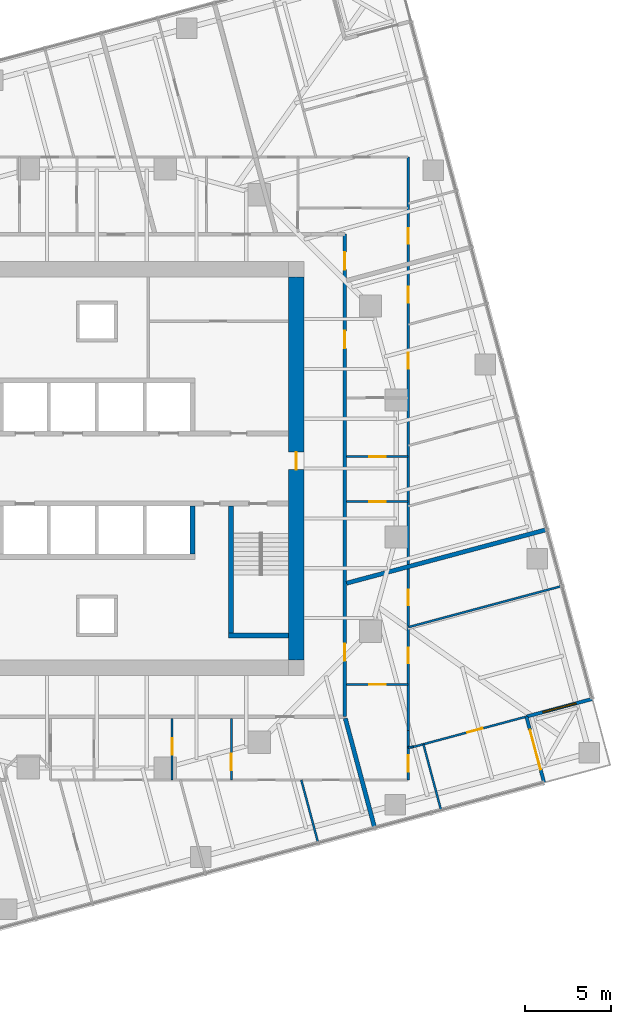
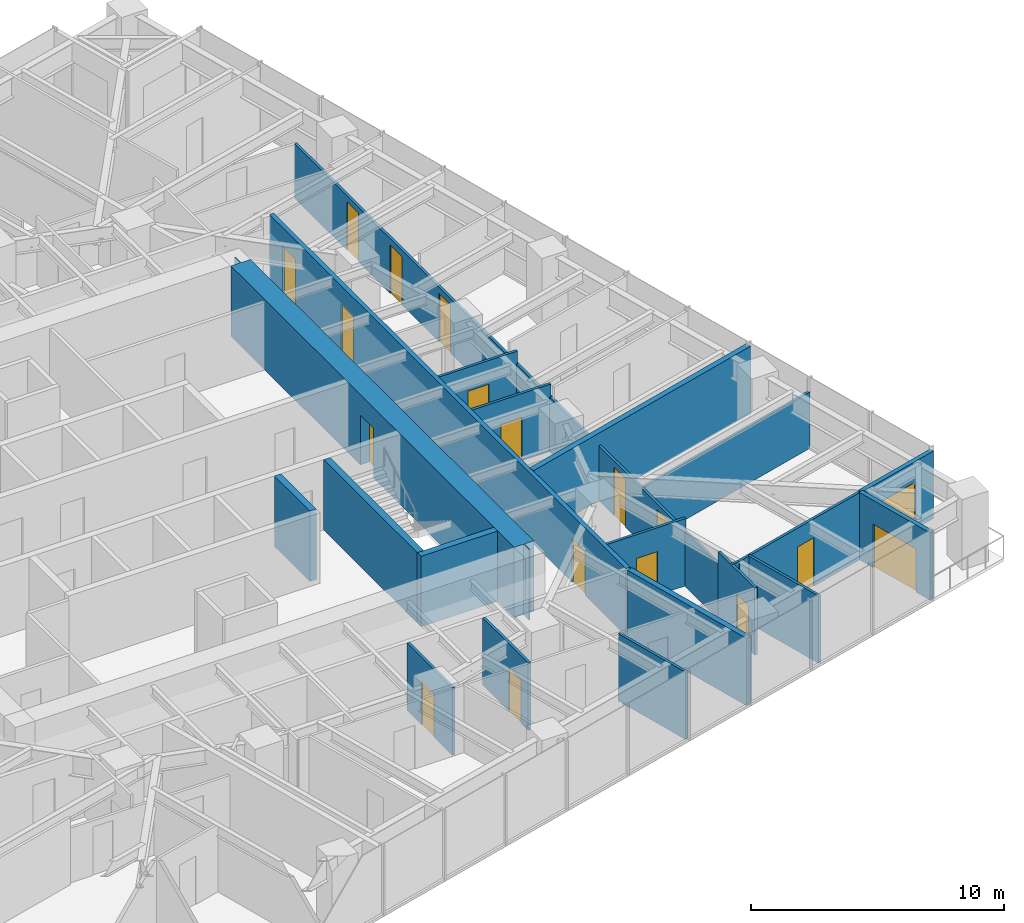
# One storey, part 10 of 15: 21 walls, 17 doors, 1 window, 18 openings.
"""IFC4 building model written with IfcOpenShell, lengths in metres."""

from ifc_helpers import new_model, si_unit, direction, frame, frame_2d, origin, place, context, subcontext, project, spatial, polyline, rectangle, outline, extrude, material, layer, layer_set, type_object, element, fill, save


model = new_model("IFC4")

# Units and contexts
model_context = context("Model", 3, precision=1e-05, world=origin(), true_north=direction((0.0, 1.0)))
body_context = subcontext(model_context, "Body", "Model", "MODEL_VIEW")
ifc_project = project(units=[si_unit("LENGTHUNIT", "METRE"), si_unit("AREAUNIT", "SQUARE_METRE"), si_unit("VOLUMEUNIT", "CUBIC_METRE"), si_unit("PLANEANGLEUNIT", "RADIAN"), si_unit("MASSUNIT", "GRAM", prefix="KILO")], contexts=[model_context])

# Site, building, storey
site_placement = place(None, origin())
site = spatial("IfcSite", under=ifc_project, at=site_placement, CompositionType="ELEMENT")
building_placement = place(site_placement, origin())
building = spatial("IfcBuilding", under=site, at=building_placement, Name="Torsade Residences", CompositionType="ELEMENT")
storey_placement = place(building_placement, frame((0.0, 0.0, 132.0)))
storey = spatial("IfcBuildingStorey", under=building, at=storey_placement, Name="L36", CompositionType="ELEMENT", Elevation=132.0)

# Walls
ifc_material_1 = material(Name="Concrete 80 MPa", Category="concrete")
ifc_layer_1 = layer(ifc_material_1, 0.300048828125)
ifc_layer_set_1 = layer_set([ifc_layer_1], Name="Concrete 80 MPa")
wall_type_1 = type_object("IfcWallType", Name="CORE INTERNAL WALL 300", PredefinedType="SHEAR", material=ifc_layer_set_1)
wall_1_placement = place(storey_placement, frame((45.60009765625, 27.800048828125, 0.0), z_axis=(0.0, 0.0, 1.0), x_axis=(0.0, -1.0, 0.0)))
element("IfcWall", 1, at=wall_1_placement, inside=storey, type_object=wall_type_1, Name="Core wall DS0 L36", PredefinedType="SHEAR", context=body_context, shape_type="SweptSolid", body=[
    extrude(rectangle(XDim=2.800048828125, YDim=0.300048828125, at=frame_2d((1.39990234375, 0.0))), origin(), (0.0, 0.0, 1.0), 3.39990234375),
])
wall_2_placement = place(storey_placement, frame((47.85009765625, 27.800048828125, 0.0), z_axis=(0.0, 0.0, 1.0), x_axis=(0.0, -1.0, 0.0)))
element("IfcWall", 2, at=wall_2_placement, inside=storey, type_object=wall_type_1, Name="Core wall ST2W L36", PredefinedType="SHEAR", context=body_context, shape_type="SweptSolid", body=[
    extrude(rectangle(XDim=7.699951171875, YDim=0.300048828125, at=frame_2d((3.85009765625, 0.0))), origin(), (0.0, 0.0, 1.0), 3.39990234375),
])
wall_3_placement = place(storey_placement, frame((51.199951171875, 20.25, 0.0), z_axis=(0.0, 0.0, 1.0), x_axis=(-1.0, 0.0, 0.0)))
element("IfcWall", 3, at=wall_3_placement, inside=storey, type_object=wall_type_1, Name="Core wall ST2S L36", PredefinedType="SHEAR", context=body_context, shape_type="SweptSolid", body=[
    extrude(rectangle(XDim=3.5, YDim=0.300048828125, at=frame_2d((1.75, 0.0))), origin(), (0.0, 0.0, 1.0), 3.39990234375),
])

# Wall, opening, door
ifc_material_2 = material(Name="Concrete 80 MPa", Category="concrete")
ifc_layer_2 = layer(ifc_material_2, 0.89990234375)
ifc_layer_set_2 = layer_set([ifc_layer_2], Name="Concrete 80 MPa")
wall_type_2 = type_object("IfcWallType", Name="CORE WALL 900", PredefinedType="SHEAR", material=ifc_layer_set_2)
wall_4_placement = place(storey_placement, frame((51.64990234375, 18.800048828125, 0.0), z_axis=(0.0, 0.0, 1.0), x_axis=(0.0, 1.0, 0.0)))
wall_4 = element("IfcWall", 4, at=wall_4_placement, inside=storey, type_object=wall_type_2, Name="Core wall E L36", PredefinedType="SHEAR", context=body_context, shape_type="SweptSolid", body=[
    extrude(outline(polyline([(0.0, -0.449951171875), (22.39990234375, -0.449951171875), (22.39990234375, -0.02490234375), (22.849853515625, -0.02490234375), (22.849853515625, 0.02490234375), (22.39990234375, 0.02490234375), (22.39990234375, 0.449951171875), (0.0, 0.449951171875), (0.0, 0.02490234375), (-0.449951171875, 0.02490234375), (-0.449951171875, -0.02490234375), (0.0, -0.02490234375), (0.0, -0.449951171875)])), origin(), (0.0, 0.0, 1.0), 3.39990234375),
])
opening_1_placement = place(wall_4_placement, frame((11.139892578125, 0.0, 0.0)))
opening_1 = element("IfcOpeningElement", 5, at=opening_1_placement, cuts=wall_4, Name="Opening D04", PredefinedType="OPENING", context=body_context, shape_type="SweptSolid", body=[
    extrude(rectangle(XDim=1.02001953125, YDim=2.39990234375, at=frame_2d((0.510009765625, 1.199951171875))), frame((0.0, 0.4599609375, 0.0), z_axis=(0.0, -1.0, 0.0), x_axis=(1.0, 0.0, 0.0)), (0.0, 0.0, 1.0), 0.919921875),
])
ifc_material_3 = material(Name="Steel-framed fire door", Category="steel")
door_type_1 = type_object("IfcDoorType", Name="LOBBY SMOKE DOOR 1020x2400", OperationType="NOTDEFINED", PredefinedType="DOOR", material=ifc_material_3)
door_1_placement = place(opening_1_placement, origin())
door_1 = element("IfcDoor", 6, at=door_1_placement, inside=storey, type_object=door_type_1, Name="Lift lobby door E L36", OperationType="SINGLE_SWING_LEFT", OverallHeight=2.39990234375, OverallWidth=1.02001953125, PredefinedType="DOOR", context=body_context, shape_type="SweptSolid", body=[
    extrude(rectangle(XDim=1.02001953125, YDim=2.39990234375, at=frame_2d((0.510009765625, 1.199951171875))), frame((0.0, 0.02490234375, 0.0), z_axis=(0.0, -1.0, 0.0), x_axis=(1.0, 0.0, 0.0)), (0.0, 0.0, 1.0), 0.050048828125),
])
fill(opening_1, door_1)

# Wall, openings, doors
ifc_material_4 = material(Name="Plasterboard on steel stud", Category="steel")
ifc_layer_3 = layer(ifc_material_4, 0.199951171875)
ifc_layer_set_3 = layer_set([ifc_layer_3], Name="Plasterboard on steel stud")
wall_type_3 = type_object("IfcWallType", Name="CORRIDOR WALL 200", PredefinedType="PARTITIONING", material=ifc_layer_set_3)
wall_5_placement = place(storey_placement, frame((54.5, 15.5, 0.0), z_axis=(0.0, 0.0, 1.0), x_axis=(0.0, 1.0, 0.0)))
wall_5 = element("IfcWall", 7, at=wall_5_placement, inside=storey, type_object=wall_type_3, Name="Corridor wall L36", PredefinedType="PARTITIONING", context=body_context, shape_type="SweptSolid", body=[
    extrude(rectangle(XDim=28.199951171875, YDim=0.199951171875, at=frame_2d((14.10009765625, 0.0))), origin(), (0.0, 0.0, 1.0), 3.25),
])
opening_2_placement = place(wall_5_placement, frame((21.526611328125, 0.0, 0.0)))
opening_2 = element("IfcOpeningElement", 8, at=opening_2_placement, cuts=wall_5, Name="Opening D01", PredefinedType="OPENING", context=body_context, shape_type="SweptSolid", body=[
    extrude(rectangle(XDim=1.02001953125, YDim=2.340087890625, at=frame_2d((0.510009765625, 1.169921875))), frame((0.0, 0.10986328125, 0.0), z_axis=(0.0, -1.0, 0.0), x_axis=(1.0, 0.0, 0.0)), (0.0, 0.0, 1.0), 0.219970703125),
])
opening_3_placement = place(wall_5_placement, frame((3.256103515625, 0.0, 0.0)))
opening_3 = element("IfcOpeningElement", 9, at=opening_3_placement, cuts=wall_5, Name="Opening D01L", PredefinedType="OPENING", context=body_context, shape_type="SweptSolid", body=[
    extrude(rectangle(XDim=1.02001953125, YDim=2.10009765625, at=frame_2d((0.510009765625, 1.050048828125))), frame((0.0, 0.10986328125, 0.0), z_axis=(0.0, -1.0, 0.0), x_axis=(1.0, 0.0, 0.0)), (0.0, 0.0, 1.0), 0.219970703125),
])
opening_4_placement = place(wall_5_placement, frame((26.126953125, 0.0, 0.0)))
opening_4 = element("IfcOpeningElement", 10, at=opening_4_placement, cuts=wall_5, Name="Opening D01", PredefinedType="OPENING", context=body_context, shape_type="SweptSolid", body=[
    extrude(rectangle(XDim=1.02001953125, YDim=2.340087890625, at=frame_2d((0.510009765625, 1.169921875))), frame((0.0, 0.10986328125, 0.0), z_axis=(0.0, -1.0, 0.0), x_axis=(1.0, 0.0, 0.0)), (0.0, 0.0, 1.0), 0.219970703125),
])
ifc_material_5 = material(Name="Solid-core timber fire door", Category="wood")
door_type_2 = type_object("IfcDoorType", Name="APARTMENT ENTRY DOOR 1020x2100", OperationType="NOTDEFINED", PredefinedType="DOOR", material=ifc_material_5)
door_2_placement = place(opening_3_placement, origin())
door_2 = element("IfcDoor", 11, at=door_2_placement, inside=storey, type_object=door_type_2, Name="Door Residential corridor to Kitchen and dining", OperationType="SINGLE_SWING_LEFT", OverallHeight=2.10009765625, OverallWidth=1.02001953125, PredefinedType="DOOR", context=body_context, shape_type="SweptSolid", body=[
    extrude(rectangle(XDim=1.02001953125, YDim=2.10009765625, at=frame_2d((0.510009765625, 1.050048828125))), frame((0.0, 0.02490234375, 0.0), z_axis=(0.0, -1.0, 0.0), x_axis=(1.0, 0.0, 0.0)), (0.0, 0.0, 1.0), 0.050048828125),
])
fill(opening_3, door_2)
ifc_material_6 = material(Name="Solid-core timber fire door", Category="wood")
door_type_3 = type_object("IfcDoorType", Name="APARTMENT ENTRY DOOR 1020x2340", OperationType="NOTDEFINED", PredefinedType="DOOR", material=ifc_material_6)
door_3_placement = place(opening_2_placement, origin())
door_3 = element("IfcDoor", 12, at=door_3_placement, inside=storey, type_object=door_type_3, Name="Door Residential corridor to Kitchen and dining", OperationType="SINGLE_SWING_LEFT", OverallHeight=2.340087890625, OverallWidth=1.02001953125, PredefinedType="DOOR", context=body_context, shape_type="SweptSolid", body=[
    extrude(rectangle(XDim=1.02001953125, YDim=2.340087890625, at=frame_2d((0.510009765625, 1.169921875))), frame((0.0, 0.02490234375, 0.0), z_axis=(0.0, -1.0, 0.0), x_axis=(1.0, 0.0, 0.0)), (0.0, 0.0, 1.0), 0.050048828125),
])
fill(opening_2, door_3)
door_4_placement = place(opening_4_placement, origin())
door_4 = element("IfcDoor", 13, at=door_4_placement, inside=storey, type_object=door_type_3, Name="Door Residential corridor to Kitchen and dining", OperationType="SINGLE_SWING_RIGHT", OverallHeight=2.340087890625, OverallWidth=1.02001953125, PredefinedType="DOOR", context=body_context, shape_type="SweptSolid", body=[
    extrude(rectangle(XDim=1.02001953125, YDim=2.340087890625, at=frame_2d((0.510009765625, 1.169921875))), frame((0.0, 0.02490234375, 0.0), z_axis=(0.0, -1.0, 0.0), x_axis=(1.0, 0.0, 0.0)), (0.0, 0.0, 1.0), 0.050048828125),
])
fill(opening_4, door_4)

# Wall, opening, door
ifc_material_7 = material(Name="Plasterboard on steel stud", Category="steel")
ifc_layer_4 = layer(ifc_material_7, 0.1201171875)
ifc_layer_set_4 = layer_set([ifc_layer_4], Name="Plasterboard on steel stud")
wall_type_4 = type_object("IfcWallType", Name="PARTITION 120", PredefinedType="PARTITIONING", material=ifc_layer_set_4)
wall_6_placement = place(storey_placement, frame((47.8623046875, 11.800048828125, 0.0), z_axis=(0.0, 0.0, 1.0), x_axis=(0.0, 1.0, 0.0)))
wall_6 = element("IfcWall", 14, at=wall_6_placement, inside=storey, type_object=wall_type_4, Name="Partition L36", PredefinedType="PARTITIONING", context=body_context, shape_type="SweptSolid", body=[
    extrude(rectangle(XDim=3.599853515625, YDim=0.1201171875, at=frame_2d((1.7998046875, 0.0))), origin(), (0.0, 0.0, 1.0), 3.25),
])
opening_5_placement = place(wall_6_placement, frame((0.570068359375, 0.0, 0.0)))
opening_5 = element("IfcOpeningElement", 15, at=opening_5_placement, cuts=wall_6, Name="Opening D05", PredefinedType="OPENING", context=body_context, shape_type="SweptSolid", body=[
    extrude(rectangle(XDim=0.9599609375, YDim=2.10009765625, at=frame_2d((0.47998046875, 1.050048828125))), frame((0.0, 0.070068359375, 0.0), z_axis=(0.0, -1.0, 0.0), x_axis=(1.0, 0.0, 0.0)), (0.0, 0.0, 1.0), 0.14013671875),
])
ifc_material_8 = material(Name="Hollow-core timber door in a steel cavity frame", Category="steel")
door_type_4 = type_object("IfcDoorType", Name="BATHROOM CAVITY SLIDING DOOR 960", OperationType="SLIDING_TO_LEFT", PredefinedType="DOOR", material=ifc_material_8)
door_5_placement = place(opening_5_placement, origin())
door_5 = element("IfcDoor", 16, at=door_5_placement, inside=storey, type_object=door_type_4, Name="Door Kitchen and dining to Laundry", OperationType="SLIDING_TO_LEFT", OverallHeight=2.10009765625, OverallWidth=0.9599609375, PredefinedType="DOOR", context=body_context, shape_type="SweptSolid", body=[
    extrude(rectangle(XDim=0.9599609375, YDim=2.10009765625, at=frame_2d((0.47998046875, 1.050048828125))), frame((0.0, 0.02490234375, 0.0), z_axis=(0.0, -1.0, 0.0), x_axis=(1.0, 0.0, 0.0)), (0.0, 0.0, 1.0), 0.050048828125),
])
fill(opening_5, door_5)

wall_7_placement = place(storey_placement, frame((44.4013671875, 15.39990234375, 0.0), z_axis=(0.0, 0.0, 1.0), x_axis=(0.0, -1.0, 0.0)))
wall_7 = element("IfcWall", 17, at=wall_7_placement, inside=storey, type_object=wall_type_4, Name="Partition L36", PredefinedType="PARTITIONING", context=body_context, shape_type="SweptSolid", body=[
    extrude(rectangle(XDim=3.599853515625, YDim=0.1201171875, at=frame_2d((1.7998046875, 0.0))), origin(), (0.0, 0.0, 1.0), 3.25),
])
opening_6_placement = place(wall_7_placement, frame((1.169921875, 0.0, 0.0)))
opening_6 = element("IfcOpeningElement", 18, at=opening_6_placement, cuts=wall_7, Name="Opening D05", PredefinedType="OPENING", context=body_context, shape_type="SweptSolid", body=[
    extrude(rectangle(XDim=0.9599609375, YDim=2.10009765625, at=frame_2d((0.47998046875, 1.050048828125))), frame((0.0, 0.070068359375, 0.0), z_axis=(0.0, -1.0, 0.0), x_axis=(1.0, 0.0, 0.0)), (0.0, 0.0, 1.0), 0.14013671875),
])
door_6_placement = place(opening_6_placement, origin())
door_6 = element("IfcDoor", 19, at=door_6_placement, inside=storey, type_object=door_type_4, Name="Door Laundry to Bathroom", OperationType="SLIDING_TO_LEFT", OverallHeight=2.10009765625, OverallWidth=0.9599609375, PredefinedType="DOOR", context=body_context, shape_type="SweptSolid", body=[
    extrude(rectangle(XDim=0.9599609375, YDim=2.10009765625, at=frame_2d((0.47998046875, 1.050048828125))), frame((0.0, 0.02490234375, 0.0), z_axis=(0.0, -1.0, 0.0), x_axis=(1.0, 0.0, 0.0)), (0.0, 0.0, 1.0), 0.050048828125),
])
fill(opening_6, door_6)

# Wall
wall_8_placement = place(storey_placement, frame((51.951171875, 11.800048828125, 0.0), z_axis=(0.0, 0.0, 1.0), x_axis=(0.258777977267, -0.965936829447, 0.0)))
element("IfcWall", 20, at=wall_8_placement, inside=storey, type_object=wall_type_4, Name="Partition L36", PredefinedType="PARTITIONING", context=body_context, shape_type="SweptSolid", body=[
    extrude(rectangle(XDim=3.786865234375, YDim=0.1201171875, at=frame_2d((1.8935546875, 0.0))), origin(), (0.0, 0.0, 1.0), 3.25),
])

# Wall, opening, door
wall_9_placement = place(storey_placement, frame((58.199951171875, 17.376708984375, 0.0), z_axis=(0.0, 0.0, 1.0), x_axis=(-1.0, 0.0, 0.0)))
wall_9 = element("IfcWall", 21, at=wall_9_placement, inside=storey, type_object=wall_type_4, Name="Partition L36", PredefinedType="PARTITIONING", context=body_context, shape_type="SweptSolid", body=[
    extrude(rectangle(XDim=3.599853515625, YDim=0.1201171875, at=frame_2d((1.7998046875, 0.0))), origin(), (0.0, 0.0, 1.0), 3.25),
])
opening_7_placement = place(wall_9_placement, frame((1.320068359375, 0.0, 0.0)))
opening_7 = element("IfcOpeningElement", 22, at=opening_7_placement, cuts=wall_9, Name="Opening D05", PredefinedType="OPENING", context=body_context, shape_type="SweptSolid", body=[
    extrude(rectangle(XDim=0.9599609375, YDim=2.10009765625, at=frame_2d((0.47998046875, 1.050048828125))), frame((0.0, 0.070068359375, 0.0), z_axis=(0.0, -1.0, 0.0), x_axis=(1.0, 0.0, 0.0)), (0.0, 0.0, 1.0), 0.14013671875),
])
door_7_placement = place(opening_7_placement, origin())
door_7 = element("IfcDoor", 23, at=door_7_placement, inside=storey, type_object=door_type_4, Name="Door Kitchen and dining to Bathroom", OperationType="SLIDING_TO_LEFT", OverallHeight=2.10009765625, OverallWidth=0.9599609375, PredefinedType="DOOR", context=body_context, shape_type="SweptSolid", body=[
    extrude(rectangle(XDim=0.9599609375, YDim=2.10009765625, at=frame_2d((0.47998046875, 1.050048828125))), frame((0.0, 0.02490234375, 0.0), z_axis=(0.0, -1.0, 0.0), x_axis=(1.0, 0.0, 0.0)), (0.0, 0.0, 1.0), 0.050048828125),
])
fill(opening_7, door_7)

# Wall, openings, doors
wall_10_placement = place(storey_placement, frame((58.199951171875, 48.199951171875, 0.0), z_axis=(0.0, 0.0, 1.0), x_axis=(0.0, -1.0, 0.0)))
wall_10 = element("IfcWall", 24, at=wall_10_placement, inside=storey, type_object=wall_type_4, Name="Partition L36", PredefinedType="PARTITIONING", context=body_context, shape_type="SweptSolid", body=[
    extrude(rectangle(XDim=33.512451171875, YDim=0.1201171875, at=frame_2d((16.75634765625, 0.0))), origin(), (0.0, 0.0, 1.0), 2.636962890625),
])
opening_8_placement = place(wall_10_placement, frame((11.44140625, 0.0, 0.0)))
opening_8 = element("IfcOpeningElement", 25, at=opening_8_placement, cuts=wall_10, Name="Opening D02", PredefinedType="OPENING", context=body_context, shape_type="SweptSolid", body=[
    extrude(rectangle(XDim=0.919921875, YDim=2.340087890625, at=frame_2d((0.4599609375, 1.169921875))), frame((0.0, 0.070068359375, 0.0), z_axis=(0.0, -1.0, 0.0), x_axis=(1.0, 0.0, 0.0)), (0.0, 0.0, 1.0), 0.14013671875),
])
opening_9_placement = place(wall_10_placement, frame((7.58349609375, 0.0, 0.0)))
opening_9 = element("IfcOpeningElement", 26, at=opening_9_placement, cuts=wall_10, Name="Opening D02", PredefinedType="OPENING", context=body_context, shape_type="SweptSolid", body=[
    extrude(rectangle(XDim=0.919921875, YDim=2.340087890625, at=frame_2d((0.4599609375, 1.169921875))), frame((0.0, 0.070068359375, 0.0), z_axis=(0.0, -1.0, 0.0), x_axis=(1.0, 0.0, 0.0)), (0.0, 0.0, 1.0), 0.14013671875),
])
opening_10_placement = place(wall_10_placement, frame((25.269287109375, 0.0, 0.0)))
opening_10 = element("IfcOpeningElement", 27, at=opening_10_placement, cuts=wall_10, Name="Opening D02", PredefinedType="OPENING", context=body_context, shape_type="SweptSolid", body=[
    extrude(rectangle(XDim=0.919921875, YDim=2.340087890625, at=frame_2d((0.4599609375, 1.169921875))), frame((0.0, 0.070068359375, 0.0), z_axis=(0.0, -1.0, 0.0), x_axis=(1.0, 0.0, 0.0)), (0.0, 0.0, 1.0), 0.14013671875),
])
opening_11_placement = place(wall_10_placement, frame((28.661865234375, 0.0, 0.0)))
opening_11 = element("IfcOpeningElement", 28, at=opening_11_placement, cuts=wall_10, Name="Opening D02", PredefinedType="OPENING", context=body_context, shape_type="SweptSolid", body=[
    extrude(rectangle(XDim=0.919921875, YDim=2.340087890625, at=frame_2d((0.4599609375, 1.169921875))), frame((0.0, 0.070068359375, 0.0), z_axis=(0.0, -1.0, 0.0), x_axis=(1.0, 0.0, 0.0)), (0.0, 0.0, 1.0), 0.14013671875),
])
opening_12_placement = place(wall_10_placement, frame((4.150390625, 0.0, 0.0)))
opening_12 = element("IfcOpeningElement", 29, at=opening_12_placement, cuts=wall_10, Name="Opening D02", PredefinedType="OPENING", context=body_context, shape_type="SweptSolid", body=[
    extrude(rectangle(XDim=0.919921875, YDim=2.340087890625, at=frame_2d((0.4599609375, 1.169921875))), frame((0.0, 0.070068359375, 0.0), z_axis=(0.0, -1.0, 0.0), x_axis=(1.0, 0.0, 0.0)), (0.0, 0.0, 1.0), 0.14013671875),
])
ifc_material_9 = material(Name="Hollow-core timber door", Category="wood")
door_type_5 = type_object("IfcDoorType", Name="INTERNAL DOOR 920x2340", OperationType="NOTDEFINED", PredefinedType="DOOR", material=ifc_material_9)
door_8_placement = place(opening_8_placement, origin())
door_8 = element("IfcDoor", 30, at=door_8_placement, inside=storey, type_object=door_type_5, Name="Door Kitchen and dining to Living room", OperationType="SINGLE_SWING_LEFT", OverallHeight=2.340087890625, OverallWidth=0.919921875, PredefinedType="DOOR", context=body_context, shape_type="SweptSolid", body=[
    extrude(rectangle(XDim=0.919921875, YDim=2.340087890625, at=frame_2d((0.4599609375, 1.169921875))), frame((0.0, 0.02490234375, 0.0), z_axis=(0.0, -1.0, 0.0), x_axis=(1.0, 0.0, 0.0)), (0.0, 0.0, 1.0), 0.050048828125),
])
fill(opening_8, door_8)
door_9_placement = place(opening_9_placement, origin())
door_9 = element("IfcDoor", 31, at=door_9_placement, inside=storey, type_object=door_type_5, Name="Door Kitchen and dining to Bedroom 3", OperationType="SINGLE_SWING_RIGHT", OverallHeight=2.340087890625, OverallWidth=0.919921875, PredefinedType="DOOR", context=body_context, shape_type="SweptSolid", body=[
    extrude(rectangle(XDim=0.919921875, YDim=2.340087890625, at=frame_2d((0.4599609375, 1.169921875))), frame((0.0, 0.02490234375, 0.0), z_axis=(0.0, -1.0, 0.0), x_axis=(1.0, 0.0, 0.0)), (0.0, 0.0, 1.0), 0.050048828125),
])
fill(opening_9, door_9)
door_10_placement = place(opening_10_placement, origin())
door_10 = element("IfcDoor", 32, at=door_10_placement, inside=storey, type_object=door_type_5, Name="Door Kitchen and dining to Bedroom 1", OperationType="SINGLE_SWING_RIGHT", OverallHeight=2.340087890625, OverallWidth=0.919921875, PredefinedType="DOOR", context=body_context, shape_type="SweptSolid", body=[
    extrude(rectangle(XDim=0.919921875, YDim=2.340087890625, at=frame_2d((0.4599609375, 1.169921875))), frame((0.0, 0.02490234375, 0.0), z_axis=(0.0, -1.0, 0.0), x_axis=(1.0, 0.0, 0.0)), (0.0, 0.0, 1.0), 0.050048828125),
])
fill(opening_10, door_10)
door_11_placement = place(opening_11_placement, origin())
door_11 = element("IfcDoor", 33, at=door_11_placement, inside=storey, type_object=door_type_5, Name="Door Kitchen and dining to Living room", OperationType="SINGLE_SWING_LEFT", OverallHeight=2.340087890625, OverallWidth=0.919921875, PredefinedType="DOOR", context=body_context, shape_type="SweptSolid", body=[
    extrude(rectangle(XDim=0.919921875, YDim=2.340087890625, at=frame_2d((0.4599609375, 1.169921875))), frame((0.0, 0.02490234375, 0.0), z_axis=(0.0, -1.0, 0.0), x_axis=(1.0, 0.0, 0.0)), (0.0, 0.0, 1.0), 0.050048828125),
])
fill(opening_11, door_11)
door_12_placement = place(opening_12_placement, origin())
door_12 = element("IfcDoor", 34, at=door_12_placement, inside=storey, type_object=door_type_5, Name="Door Kitchen and dining to Bedroom 3", OperationType="SINGLE_SWING_RIGHT", OverallHeight=2.340087890625, OverallWidth=0.919921875, PredefinedType="DOOR", context=body_context, shape_type="SweptSolid", body=[
    extrude(rectangle(XDim=0.919921875, YDim=2.340087890625, at=frame_2d((0.4599609375, 1.169921875))), frame((0.0, 0.02490234375, 0.0), z_axis=(0.0, -1.0, 0.0), x_axis=(1.0, 0.0, 0.0)), (0.0, 0.0, 1.0), 0.050048828125),
])
fill(opening_12, door_12)

# Wall
wall_11_placement = place(storey_placement, frame((58.199951171875, 20.727783203125, 0.0), z_axis=(0.0, 0.0, 1.0), x_axis=(0.965925974596, 0.258818491613, 0.0)))
element("IfcWall", 35, at=wall_11_placement, inside=storey, type_object=wall_type_4, Name="Partition L36", PredefinedType="PARTITIONING", context=body_context, shape_type="SweptSolid", body=[
    extrude(rectangle(XDim=9.280029296875, YDim=0.1201171875, at=frame_2d((4.64013671875, 0.0))), origin(), (0.0, 0.0, 1.0), 2.720947265625),
])

# Wall, opening, door
wall_12_placement = place(storey_placement, frame((65.068603515625, 15.493896484375, 0.0), z_axis=(0.0, 0.0, 1.0), x_axis=(-0.965922865286, -0.258830095464, 0.0)))
wall_12 = element("IfcWall", 36, at=wall_12_placement, inside=storey, type_object=wall_type_4, Name="Partition L36", PredefinedType="PARTITIONING", context=body_context, shape_type="SweptSolid", body=[
    extrude(rectangle(XDim=6.793212890625, YDim=0.1201171875, at=frame_2d((3.396484375, 0.0))), origin(), (0.0, 0.0, 1.0), 3.25),
])
opening_13_placement = place(wall_12_placement, frame((2.61669921875, 0.0, 0.0)))
opening_13 = element("IfcOpeningElement", 37, at=opening_13_placement, cuts=wall_12, Name="Opening D02", PredefinedType="OPENING", context=body_context, shape_type="SweptSolid", body=[
    extrude(rectangle(XDim=0.919921875, YDim=2.340087890625, at=frame_2d((0.4599609375, 1.169921875))), frame((0.0, 0.070068359375, 0.0), z_axis=(0.0, -1.0, 0.0), x_axis=(1.0, 0.0, 0.0)), (0.0, 0.0, 1.0), 0.14013671875),
])
door_13_placement = place(opening_13_placement, origin())
door_13 = element("IfcDoor", 38, at=door_13_placement, inside=storey, type_object=door_type_5, Name="Door Living room to Bedroom 2", OperationType="SINGLE_SWING_RIGHT", OverallHeight=2.340087890625, OverallWidth=0.919921875, PredefinedType="DOOR", context=body_context, shape_type="SweptSolid", body=[
    extrude(rectangle(XDim=0.919921875, YDim=2.340087890625, at=frame_2d((0.4599609375, 1.169921875))), frame((0.0, 0.02490234375, 0.0), z_axis=(0.0, -1.0, 0.0), x_axis=(1.0, 0.0, 0.0)), (0.0, 0.0, 1.0), 0.050048828125),
])
fill(opening_13, door_13)

# Wall
wall_13_placement = place(storey_placement, frame((60.111328125, 10.06591796875, 0.0), z_axis=(0.0, 0.0, 1.0), x_axis=(-0.258863452657, 0.965913926227, 0.0)))
element("IfcWall", 39, at=wall_13_placement, inside=storey, type_object=wall_type_4, Name="Partition L36", PredefinedType="PARTITIONING", context=body_context, shape_type="SweptSolid", body=[
    extrude(rectangle(XDim=3.960205078125, YDim=0.1201171875, at=frame_2d((1.97998046875, 0.0))), origin(), (0.0, 0.0, 1.0), 3.25),
])

# Wall, opening, door
wall_14_placement = place(storey_placement, frame((54.60009765625, 28.06591796875, 0.0), z_axis=(0.0, 0.0, 1.0), x_axis=(1.0, 0.0, 0.0)))
wall_14 = element("IfcWall", 40, at=wall_14_placement, inside=storey, type_object=wall_type_4, Name="Partition L36", PredefinedType="PARTITIONING", context=body_context, shape_type="SweptSolid", body=[
    extrude(rectangle(XDim=3.599853515625, YDim=0.1201171875, at=frame_2d((1.7998046875, 0.0))), origin(), (0.0, 0.0, 1.0), 3.25),
])
opening_14_placement = place(wall_14_placement, frame((1.320068359375, 0.0, 0.0)))
opening_14 = element("IfcOpeningElement", 41, at=opening_14_placement, cuts=wall_14, Name="Opening D05", PredefinedType="OPENING", context=body_context, shape_type="SweptSolid", body=[
    extrude(rectangle(XDim=0.9599609375, YDim=2.10009765625, at=frame_2d((0.47998046875, 1.050048828125))), frame((0.0, 0.070068359375, 0.0), z_axis=(0.0, -1.0, 0.0), x_axis=(1.0, 0.0, 0.0)), (0.0, 0.0, 1.0), 0.14013671875),
])
door_14_placement = place(opening_14_placement, origin())
door_14 = element("IfcDoor", 42, at=door_14_placement, inside=storey, type_object=door_type_4, Name="Door Laundry to Bathroom", OperationType="SLIDING_TO_LEFT", OverallHeight=2.10009765625, OverallWidth=0.9599609375, PredefinedType="DOOR", context=body_context, shape_type="SweptSolid", body=[
    extrude(rectangle(XDim=0.9599609375, YDim=2.10009765625, at=frame_2d((0.47998046875, 1.050048828125))), frame((0.0, 0.02490234375, 0.0), z_axis=(0.0, -1.0, 0.0), x_axis=(1.0, 0.0, 0.0)), (0.0, 0.0, 1.0), 0.050048828125),
])
fill(opening_14, door_14)

wall_15_placement = place(storey_placement, frame((58.199951171875, 30.69775390625, 0.0), z_axis=(0.0, 0.0, 1.0), x_axis=(-1.0, 0.0, 0.0)))
wall_15 = element("IfcWall", 43, at=wall_15_placement, inside=storey, type_object=wall_type_4, Name="Partition L36", PredefinedType="PARTITIONING", context=body_context, shape_type="SweptSolid", body=[
    extrude(rectangle(XDim=3.599853515625, YDim=0.1201171875, at=frame_2d((1.7998046875, 0.0))), origin(), (0.0, 0.0, 1.0), 3.25),
])
opening_15_placement = place(wall_15_placement, frame((1.320068359375, 0.0, 0.0)))
opening_15 = element("IfcOpeningElement", 44, at=opening_15_placement, cuts=wall_15, Name="Opening D05", PredefinedType="OPENING", context=body_context, shape_type="SweptSolid", body=[
    extrude(rectangle(XDim=0.9599609375, YDim=2.10009765625, at=frame_2d((0.47998046875, 1.050048828125))), frame((0.0, 0.070068359375, 0.0), z_axis=(0.0, -1.0, 0.0), x_axis=(1.0, 0.0, 0.0)), (0.0, 0.0, 1.0), 0.14013671875),
])
door_15_placement = place(opening_15_placement, origin())
door_15 = element("IfcDoor", 45, at=door_15_placement, inside=storey, type_object=door_type_4, Name="Door Ensuite to Laundry", OperationType="SLIDING_TO_LEFT", OverallHeight=2.10009765625, OverallWidth=0.9599609375, PredefinedType="DOOR", context=body_context, shape_type="SweptSolid", body=[
    extrude(rectangle(XDim=0.9599609375, YDim=2.10009765625, at=frame_2d((0.47998046875, 1.050048828125))), frame((0.0, 0.02490234375, 0.0), z_axis=(0.0, -1.0, 0.0), x_axis=(1.0, 0.0, 0.0)), (0.0, 0.0, 1.0), 0.050048828125),
])
fill(opening_15, door_15)

wall_16_placement = place(storey_placement, frame((58.199951171875, 14.6875, 0.0), z_axis=(0.0, 0.0, 1.0), x_axis=(0.0, -1.0, 0.0)))
wall_16 = element("IfcWall", 46, at=wall_16_placement, inside=storey, type_object=wall_type_4, Name="Partition L36", PredefinedType="PARTITIONING", context=body_context, shape_type="SweptSolid", body=[
    extrude(rectangle(XDim=2.887451171875, YDim=0.1201171875, at=frame_2d((1.44384765625, 0.0))), origin(), (0.0, 0.0, 1.0), 3.25),
])
opening_16_placement = place(wall_16_placement, frame((1.454833984375, 0.0, 0.0)))
opening_16 = element("IfcOpeningElement", 47, at=opening_16_placement, cuts=wall_16, Name="Opening D05", PredefinedType="OPENING", context=body_context, shape_type="SweptSolid", body=[
    extrude(rectangle(XDim=0.9599609375, YDim=2.10009765625, at=frame_2d((0.47998046875, 1.050048828125))), frame((0.0, 0.070068359375, 0.0), z_axis=(0.0, -1.0, 0.0), x_axis=(1.0, 0.0, 0.0)), (0.0, 0.0, 1.0), 0.14013671875),
])
door_16_placement = place(opening_16_placement, origin())
door_16 = element("IfcDoor", 48, at=door_16_placement, inside=storey, type_object=door_type_4, Name="Door Bathroom to Bedroom 3", OperationType="SLIDING_TO_LEFT", OverallHeight=2.10009765625, OverallWidth=0.9599609375, PredefinedType="DOOR", context=body_context, shape_type="SweptSolid", body=[
    extrude(rectangle(XDim=0.9599609375, YDim=2.10009765625, at=frame_2d((0.47998046875, 1.050048828125))), frame((0.0, 0.02490234375, 0.0), z_axis=(0.0, -1.0, 0.0), x_axis=(1.0, 0.0, 0.0)), (0.0, 0.0, 1.0), 0.050048828125),
])
fill(opening_16, door_16)

# Walls
wall_17_placement = place(storey_placement, frame((58.5068359375, 13.735595703125, 0.0), z_axis=(0.0, 0.0, 1.0), x_axis=(-0.995169554704, -0.09817106188, 0.0)))
element("IfcWall", 49, at=wall_17_placement, inside=storey, type_object=wall_type_4, Name="Partition L36", PredefinedType="PARTITIONING", context=body_context, shape_type="SweptSolid", body=[
    extrude(rectangle(XDim=0.308349609375, YDim=0.1201171875, at=frame_2d((0.154296875, 0.0))), origin(), (0.0, 0.0, 1.0), 3.25),
])
ifc_material_10 = material(Name="Masonry-lined stud party wall", Category="masonry")
ifc_layer_5 = layer(ifc_material_10, 0.25)
ifc_layer_set_5 = layer_set([ifc_layer_5], Name="Masonry-lined stud party wall")
wall_type_5 = type_object("IfcWallType", Name="PARTY WALL 250", PredefinedType="PARTITIONING", material=ifc_layer_set_5)
wall_18_placement = place(storey_placement, frame((56.24169921875, 8.98779296875, 0.0), z_axis=(0.0, 0.0, 1.0), x_axis=(-0.25880587229, 0.965929355837, 0.0)))
element("IfcWall", 50, at=wall_18_placement, inside=storey, type_object=wall_type_5, Name="Party wall L36", PredefinedType="PARTITIONING", context=body_context, shape_type="SweptSolid", body=[
    extrude(rectangle(XDim=6.644775390625, YDim=0.25, at=frame_2d((3.322265625, 0.0))), origin(), (0.0, 0.0, 1.0), 3.25),
])
wall_19_placement = place(storey_placement, frame((66.318115234375, 26.4404296875, 0.0), z_axis=(0.0, 0.0, 1.0), x_axis=(-0.965924438766, -0.258824223352, 0.0)))
element("IfcWall", 51, at=wall_19_placement, inside=storey, type_object=wall_type_5, Name="Party wall L36", PredefinedType="PARTITIONING", context=body_context, shape_type="SweptSolid", body=[
    extrude(rectangle(XDim=12.137939453125, YDim=0.25, at=frame_2d((6.06884765625, 0.0))), origin(), (0.0, 0.0, 1.0), 3.25),
])

# Wall, opening, door
ifc_material_11 = material(Name="Stone-faced precast concrete 40 MPa panel", Category="masonry")
ifc_layer_6 = layer(ifc_material_11, 0.199951171875)
ifc_layer_set_6 = layer_set([ifc_layer_6], Name="Stone-faced precast concrete 40 MPa panel")
wall_type_6 = type_object("IfcWallType", Name="TERRACE WALL 200", PredefinedType="SOLIDWALL", material=ifc_layer_set_6)
wall_20_placement = place(storey_placement, frame((66.142578125, 11.640625, 0.0), z_axis=(0.0, 0.0, 1.0), x_axis=(-0.258843877716, 0.965919172068, 0.0)))
wall_20 = element("IfcWall", 52, at=wall_20_placement, inside=storey, type_object=wall_type_6, Name="Terrace wall L36 2", PredefinedType="SOLIDWALL", context=body_context, shape_type="SweptSolid", body=[
    extrude(rectangle(XDim=4.0, YDim=0.199951171875, at=frame_2d((2.0, 0.0))), origin(), (0.0, 0.0, 1.0), 3.25),
])
opening_17_placement = place(wall_20_placement, frame((0.800048828125, 0.0, 0.0)))
opening_17 = element("IfcOpeningElement", 53, at=opening_17_placement, cuts=wall_20, Name="Opening D10A", PredefinedType="OPENING", context=body_context, shape_type="SweptSolid", body=[
    extrude(rectangle(XDim=2.39990234375, YDim=2.10009765625, at=frame_2d((1.199951171875, 1.050048828125))), frame((0.0, 0.10986328125, 0.0), z_axis=(0.0, -1.0, 0.0), x_axis=(1.0, 0.0, 0.0)), (0.0, 0.0, 1.0), 0.219970703125),
])
ifc_material_12 = material(Name="Aluminium-framed glass door", Category="aluminium")
door_type_6 = type_object("IfcDoorType", Name="TERRACE SLIDING DOOR 2400x2100", OperationType="SLIDING_TO_LEFT", PredefinedType="DOOR", material=ifc_material_12)
door_17_placement = place(opening_17_placement, origin())
door_17 = element("IfcDoor", 54, at=door_17_placement, inside=storey, type_object=door_type_6, Name="Terrace door L36 2", OperationType="SLIDING_TO_LEFT", OverallHeight=2.10009765625, OverallWidth=2.39990234375, PredefinedType="DOOR", context=body_context, shape_type="SweptSolid", body=[
    extrude(rectangle(XDim=2.39990234375, YDim=2.10009765625, at=frame_2d((1.199951171875, 1.050048828125))), frame((0.0, 0.02490234375, 0.0), z_axis=(0.0, -1.0, 0.0), x_axis=(1.0, 0.0, 0.0)), (0.0, 0.0, 1.0), 0.050048828125),
])
fill(opening_17, door_17)

# Wall, opening, window
wall_21_placement = place(storey_placement, frame((65.107177734375, 15.50439453125, 0.0), z_axis=(0.0, 0.0, 1.0), x_axis=(0.965934430412, 0.258786931944, 0.0)))
wall_21 = element("IfcWall", 55, at=wall_21_placement, inside=storey, type_object=wall_type_6, Name="Terrace wall L36 3", PredefinedType="SOLIDWALL", context=body_context, shape_type="SweptSolid", body=[
    extrude(rectangle(XDim=4.0, YDim=0.199951171875, at=frame_2d((2.0, 0.0))), origin(), (0.0, 0.0, 1.0), 3.25),
])
opening_18_placement = place(wall_21_placement, frame((1.0, 0.0, 0.449951171875)))
opening_18 = element("IfcOpeningElement", 56, at=opening_18_placement, cuts=wall_21, Name="Opening W1B", PredefinedType="OPENING", context=body_context, shape_type="SweptSolid", body=[
    extrude(rectangle(XDim=2.0, YDim=1.800048828125, at=frame_2d((1.0, 0.89990234375))), frame((0.0, 0.10986328125, 0.0), z_axis=(0.0, -1.0, 0.0), x_axis=(1.0, 0.0, 0.0)), (0.0, 0.0, 1.0), 0.219970703125),
])
ifc_material_13 = material(Name="Aluminium-framed glass window", Category="aluminium")
window_type = type_object("IfcWindowType", Name="TERRACE WINDOW 2000x1800", PartitioningType="SINGLE_PANEL", PredefinedType="WINDOW", material=ifc_material_13)
window_placement = place(opening_18_placement, origin())
window = element("IfcWindow", 57, at=window_placement, inside=storey, type_object=window_type, Name="Terrace window L36 3", OverallHeight=1.800048828125, OverallWidth=2.0, PartitioningType="SINGLE_PANEL", PredefinedType="WINDOW", context=body_context, shape_type="SweptSolid", body=[
    extrude(rectangle(XDim=2.0, YDim=1.800048828125, at=frame_2d((1.0, 0.89990234375))), frame((0.0, 0.030029296875, 0.0), z_axis=(0.0, -1.0, 0.0), x_axis=(1.0, 0.0, 0.0)), (0.0, 0.0, 1.0), 0.06005859375),
])
fill(opening_18, window)

save(model, "model.ifc")
